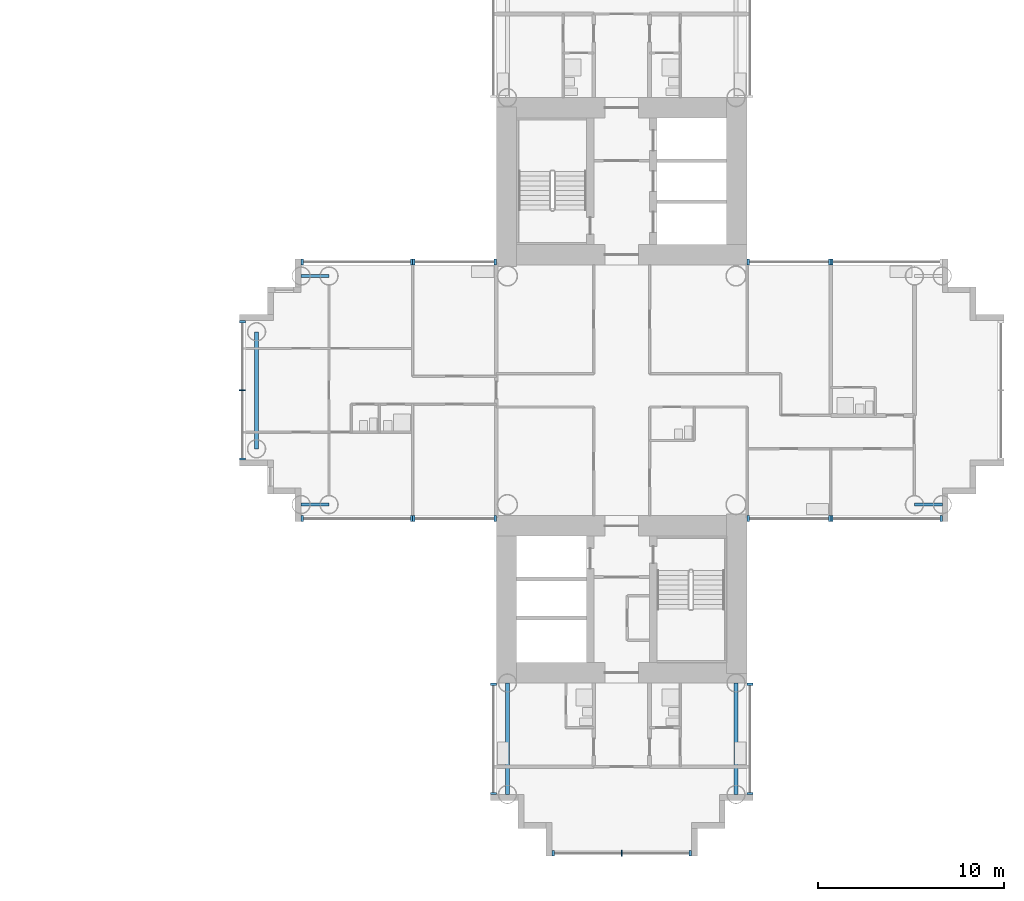
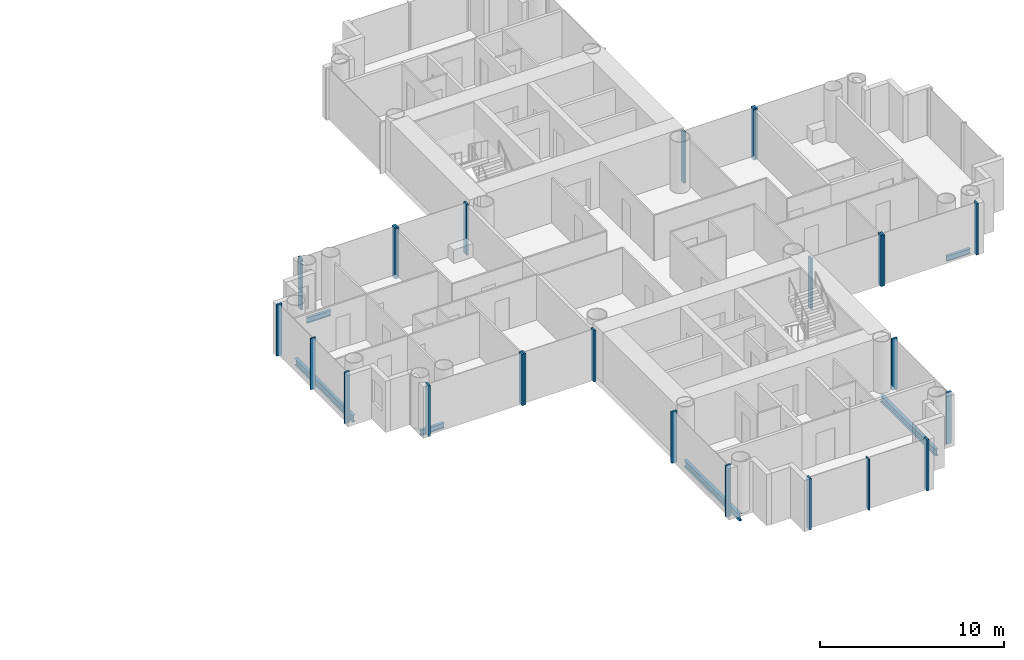
# One storey, part 5 of 21: 25 members, 6 beams, 12 elements without a shape of their own.
"""IFC4 building model written with IfcOpenShell, lengths in metres."""

from ifc_helpers import new_model, si_unit, direction, frame, origin, origin_2d, place, context, subcontext, project, spatial, rectangle, i_section, extrude, material, layer, layer_set, material_profile, profile_set, type_object, element, aggregate, save


model = new_model("IFC4")

# Units and contexts
model_context = context("Model", 3, precision=1e-05, world=origin(), true_north=direction((0.0, 1.0)))
body_context = subcontext(model_context, "Body", "Model", "MODEL_VIEW")
ifc_project = project(units=[si_unit("LENGTHUNIT", "METRE"), si_unit("AREAUNIT", "SQUARE_METRE"), si_unit("VOLUMEUNIT", "CUBIC_METRE"), si_unit("PLANEANGLEUNIT", "RADIAN"), si_unit("MASSUNIT", "GRAM", prefix="KILO")], contexts=[model_context])

# Site, building, storey
site_placement = place(None, origin())
site = spatial("IfcSite", under=ifc_project, at=site_placement, CompositionType="ELEMENT")
building_placement = place(site_placement, origin())
building = spatial("IfcBuilding", under=site, at=building_placement, Name="Ipe Terrace Towers", CompositionType="ELEMENT")
storey_placement = place(building_placement, frame((0.0, 0.0, 27.89990234375)))
storey = spatial("IfcBuildingStorey", under=building, at=storey_placement, Name="L06", CompositionType="ELEMENT", Elevation=27.89990234375)

# Beams
ifc_material_1 = material(Name="Steel S355", Category="steel")
ifc_material_profile_1 = material_profile(ifc_material_1, i_section(OverallWidth=0.175048828125, OverallDepth=0.35009765625, WebThickness=0.007080078125, FlangeThickness=0.010986328125, at=origin_2d()), Name="H-350x175x7x11")
ifc_profile_set_1 = profile_set([ifc_material_profile_1], Name="Steel S355")
beam_type_1 = type_object("IfcBeamType", Name="H04 EDGE BEAM H-350x175x7x11", PredefinedType="BEAM", material=ifc_profile_set_1)
for number, where, z_axis, x_axis, name in (
    (1, (20.25, 6.14990234375, -0.574951171875), (-1.0, 0.0, 0.0), (0.0, -1.0, 0.0), "Edge beam T2-EB-B03-B05"),
    (2, (20.25, -6.14990234375, -0.574951171875), (-1.0, 0.0, 0.0), (0.0, -1.0, 0.0), "Edge beam T2-EB-B04-B06"),
    (3, (51.75, -6.14990234375, -0.574951171875), (1.0, 0.0, 0.0), (0.0, 1.0, 0.0), "Edge beam T2-EB-D03-D05"),
):
    element("IfcBeam", number, at=place(storey_placement, frame(where, z_axis=z_axis, x_axis=x_axis)), inside=storey, type_object=beam_type_1, Name=name, PredefinedType="BEAM", context=body_context, shape_type="SweptSolid", body=[
        extrude(i_section(OverallWidth=0.175048828125, OverallDepth=0.35009765625, WebThickness=0.007080078125, FlangeThickness=0.010986328125, at=origin_2d()), origin(), (0.0, 0.0, 1.0), 1.5),
    ])
ifc_material_2 = material(Name="Steel S355", Category="steel")
ifc_material_profile_2 = material_profile(ifc_material_2, i_section(OverallWidth=0.199951171875, OverallDepth=0.449951171875, WebThickness=0.009033203125, FlangeThickness=0.013916015625, at=origin_2d()), Name="H-450x200x9x14")
ifc_profile_set_2 = profile_set([ifc_material_profile_2], Name="Steel S355")
beam_type_2 = type_object("IfcBeamType", Name="H08 EDGE BEAM H-450x200x9x14", PredefinedType="BEAM", material=ifc_profile_set_2)
beam_placement = place(storey_placement, frame((16.35009765625, 3.14990234375, -0.625), z_axis=(0.0, -1.0, 0.0), x_axis=(1.0, 0.0, 0.0)))
element("IfcBeam", 4, at=beam_placement, inside=storey, type_object=beam_type_2, Name="Edge beam T2-EB-B07-B08", PredefinedType="BEAM", context=body_context, shape_type="SweptSolid", body=[
    extrude(i_section(OverallWidth=0.199951171875, OverallDepth=0.449951171875, WebThickness=0.009033203125, FlangeThickness=0.013916015625, at=origin_2d()), origin(), (0.0, 0.0, 1.0), 6.2998046875),
])
for number, where, z_axis, x_axis, name in (
    (5, (42.14990234375, -15.75, -0.625), (0.0, -1.0, 0.0), (1.0, 0.0, 0.0), "Edge beam T2-EB-C01-C03"),
    (6, (29.85009765625, -15.75, -0.625), (0.0, -1.0, 0.0), (1.0, 0.0, 0.0), "Edge beam T2-EB-C02-C04"),
):
    element("IfcBeam", number, at=place(storey_placement, frame(where, z_axis=z_axis, x_axis=x_axis)), inside=storey, type_object=beam_type_2, Name=name, PredefinedType="BEAM", context=body_context, shape_type="SweptSolid", body=[
        extrude(i_section(OverallWidth=0.199951171875, OverallDepth=0.449951171875, WebThickness=0.009033203125, FlangeThickness=0.013916015625, at=origin_2d()), origin(), (0.0, 0.0, 1.0), 6.0),
    ])

# Curtain wall, members
ifc_material_3 = material(Name="Aluminium alloy 6063-T6", Category="aluminium")
ifc_layer = layer(ifc_material_3, 0.320068359375)
ifc_layer_set = layer_set([ifc_layer], Name="TOWER UNITISED CURTAIN WALL")
curtain_wall_type = type_object("IfcCurtainWallType", Name="TOWER UNITISED CURTAIN WALL", PredefinedType="NOTDEFINED", material=ifc_layer_set)
curtain_wall_1_placement = place(storey_placement, origin())
curtain_wall_1 = element("IfcCurtainWall", 7, at=curtain_wall_1_placement, inside=storey, type_object=curtain_wall_type, Name="T2-CW-L06-04a curtain wall", PredefinedType="NOTDEFINED")
ifc_material_4 = material(Name="Aluminium alloy 6063-T6", Category="aluminium")
ifc_material_profile_3 = material_profile(ifc_material_4, rectangle(XDim=0.320068359375, YDim=0.1201171875, at=origin_2d()), Name="TOWER UNITISED CORNER MULLION 320 x 120")
ifc_profile_set_3 = profile_set([ifc_material_profile_3], Name="Aluminium alloy 6063-T6")
member_type_1 = type_object("IfcMemberType", Name="TOWER UNITISED CORNER MULLION 320 x 120", PredefinedType="MULLION", material=ifc_profile_set_3)
member_1_placement = place(storey_placement, frame((42.909912109375, -21.68994140625, -0.2998046875), z_axis=(0.0, 0.0, 1.0), x_axis=(1.0, 0.0, 0.0)))
member_1 = element("IfcMember", 8, at=member_1_placement, type_object=member_type_1, Name="T2-CW-L06-04a mullion 1", PredefinedType="MULLION", context=body_context, shape_type="SweptSolid", body=[
    extrude(rectangle(XDim=0.320068359375, YDim=0.1201171875, at=origin_2d()), origin(), (0.0, 0.0, 1.0), 3.39990234375),
])
member_2_placement = place(storey_placement, frame((42.909912109375, -15.81103515625, -0.2998046875), z_axis=(0.0, 0.0, 1.0), x_axis=(1.0, 0.0, 0.0)))
member_2 = element("IfcMember", 9, at=member_2_placement, type_object=member_type_1, Name="T2-CW-L06-04a mullion 2", PredefinedType="MULLION", context=body_context, shape_type="SweptSolid", body=[
    extrude(rectangle(XDim=0.320068359375, YDim=0.1201171875, at=origin_2d()), origin(), (0.0, 0.0, 1.0), 3.39990234375),
])
aggregate(curtain_wall_1, [member_1, member_2])

curtain_wall_2_placement = place(storey_placement, origin())
curtain_wall_2 = element("IfcCurtainWall", 10, at=curtain_wall_2_placement, inside=storey, type_object=curtain_wall_type, Name="T2-CW-L06-06a curtain wall", PredefinedType="NOTDEFINED")
member_3_placement = place(storey_placement, frame((42.81005859375, -6.909912109375, -0.2998046875), z_axis=(0.0, 0.0, 1.0), x_axis=(0.0, -1.0, 0.0)))
member_3 = element("IfcMember", 11, at=member_3_placement, type_object=member_type_1, Name="T2-CW-L06-06a mullion 1", PredefinedType="MULLION", context=body_context, shape_type="SweptSolid", body=[
    extrude(rectangle(XDim=0.320068359375, YDim=0.1201171875, at=origin_2d()), origin(), (0.0, 0.0, 1.0), 3.39990234375),
])
member_4_placement = place(storey_placement, frame((47.18994140625, -6.909912109375, -0.2998046875), z_axis=(0.0, 0.0, 1.0), x_axis=(0.0, -1.0, 0.0)))
member_4 = element("IfcMember", 12, at=member_4_placement, type_object=member_type_1, Name="T2-CW-L06-06a mullion 2", PredefinedType="MULLION", context=body_context, shape_type="SweptSolid", body=[
    extrude(rectangle(XDim=0.320068359375, YDim=0.1201171875, at=origin_2d()), origin(), (0.0, 0.0, 1.0), 3.39990234375),
])
aggregate(curtain_wall_2, [member_3, member_4])

curtain_wall_3_placement = place(storey_placement, origin())
curtain_wall_3 = element("IfcCurtainWall", 13, at=curtain_wall_3_placement, inside=storey, type_object=curtain_wall_type, Name="T2-CW-L06-07a curtain wall", PredefinedType="NOTDEFINED")
member_5_placement = place(storey_placement, frame((47.31005859375, -6.909912109375, -0.2998046875), z_axis=(0.0, 0.0, 1.0), x_axis=(0.0, -1.0, 0.0)))
member_5 = element("IfcMember", 14, at=member_5_placement, type_object=member_type_1, Name="T2-CW-L06-07a mullion 1", PredefinedType="MULLION", context=body_context, shape_type="SweptSolid", body=[
    extrude(rectangle(XDim=0.320068359375, YDim=0.1201171875, at=origin_2d()), origin(), (0.0, 0.0, 1.0), 3.39990234375),
])
member_6_placement = place(storey_placement, frame((53.18994140625, -6.909912109375, -0.2998046875), z_axis=(0.0, 0.0, 1.0), x_axis=(0.0, -1.0, 0.0)))
member_6 = element("IfcMember", 15, at=member_6_placement, type_object=member_type_1, Name="T2-CW-L06-07a mullion 2", PredefinedType="MULLION", context=body_context, shape_type="SweptSolid", body=[
    extrude(rectangle(XDim=0.320068359375, YDim=0.1201171875, at=origin_2d()), origin(), (0.0, 0.0, 1.0), 3.39990234375),
])
aggregate(curtain_wall_3, [member_5, member_6])

# Curtain wall, member
curtain_wall_4_placement = place(storey_placement, origin())
curtain_wall_4 = element("IfcCurtainWall", 16, at=curtain_wall_4_placement, inside=storey, type_object=curtain_wall_type, Name="T2-CW-L06-17a curtain wall", PredefinedType="NOTDEFINED")
member_7_placement = place(storey_placement, frame((47.31005859375, 6.909912109375, -0.2998046875), z_axis=(0.0, 0.0, 1.0), x_axis=(0.0, 1.0, 0.0)))
member_7 = element("IfcMember", 17, at=member_7_placement, type_object=member_type_1, Name="T2-CW-L06-17a mullion 2", PredefinedType="MULLION", context=body_context, shape_type="SweptSolid", body=[
    extrude(rectangle(XDim=0.320068359375, YDim=0.1201171875, at=origin_2d()), origin(), (0.0, 0.0, 1.0), 3.39990234375),
])
aggregate(curtain_wall_4, [member_7])

# Curtain wall, members
curtain_wall_5_placement = place(storey_placement, origin())
curtain_wall_5 = element("IfcCurtainWall", 18, at=curtain_wall_5_placement, inside=storey, type_object=curtain_wall_type, Name="T2-CW-L06-18a curtain wall", PredefinedType="NOTDEFINED")
member_8_placement = place(storey_placement, frame((47.18994140625, 6.909912109375, -0.2998046875), z_axis=(0.0, 0.0, 1.0), x_axis=(0.0, 1.0, 0.0)))
member_8 = element("IfcMember", 19, at=member_8_placement, type_object=member_type_1, Name="T2-CW-L06-18a mullion 1", PredefinedType="MULLION", context=body_context, shape_type="SweptSolid", body=[
    extrude(rectangle(XDim=0.320068359375, YDim=0.1201171875, at=origin_2d()), origin(), (0.0, 0.0, 1.0), 3.39990234375),
])
member_9_placement = place(storey_placement, frame((42.81005859375, 6.909912109375, -0.2998046875), z_axis=(0.0, 0.0, 1.0), x_axis=(0.0, 1.0, 0.0)))
member_9 = element("IfcMember", 20, at=member_9_placement, type_object=member_type_1, Name="T2-CW-L06-18a mullion 2", PredefinedType="MULLION", context=body_context, shape_type="SweptSolid", body=[
    extrude(rectangle(XDim=0.320068359375, YDim=0.1201171875, at=origin_2d()), origin(), (0.0, 0.0, 1.0), 3.39990234375),
])
aggregate(curtain_wall_5, [member_8, member_9])

curtain_wall_6_placement = place(storey_placement, origin())
curtain_wall_6 = element("IfcCurtainWall", 21, at=curtain_wall_6_placement, inside=storey, type_object=curtain_wall_type, Name="T2-CW-L06-32a curtain wall", PredefinedType="NOTDEFINED")
member_10_placement = place(storey_placement, frame((29.18994140625, 6.909912109375, -0.2998046875), z_axis=(0.0, 0.0, 1.0), x_axis=(0.0, 1.0, 0.0)))
member_10 = element("IfcMember", 22, at=member_10_placement, type_object=member_type_1, Name="T2-CW-L06-32a mullion 1", PredefinedType="MULLION", context=body_context, shape_type="SweptSolid", body=[
    extrude(rectangle(XDim=0.320068359375, YDim=0.1201171875, at=origin_2d()), origin(), (0.0, 0.0, 1.0), 3.39990234375),
])
member_11_placement = place(storey_placement, frame((24.81005859375, 6.909912109375, -0.2998046875), z_axis=(0.0, 0.0, 1.0), x_axis=(0.0, 1.0, 0.0)))
member_11 = element("IfcMember", 23, at=member_11_placement, type_object=member_type_1, Name="T2-CW-L06-32a mullion 2", PredefinedType="MULLION", context=body_context, shape_type="SweptSolid", body=[
    extrude(rectangle(XDim=0.320068359375, YDim=0.1201171875, at=origin_2d()), origin(), (0.0, 0.0, 1.0), 3.39990234375),
])
aggregate(curtain_wall_6, [member_10, member_11])

curtain_wall_7_placement = place(storey_placement, origin())
curtain_wall_7 = element("IfcCurtainWall", 24, at=curtain_wall_7_placement, inside=storey, type_object=curtain_wall_type, Name="T2-CW-L06-33a curtain wall", PredefinedType="NOTDEFINED")
member_12_placement = place(storey_placement, frame((24.68994140625, 6.909912109375, -0.2998046875), z_axis=(0.0, 0.0, 1.0), x_axis=(0.0, 1.0, 0.0)))
member_12 = element("IfcMember", 25, at=member_12_placement, type_object=member_type_1, Name="T2-CW-L06-33a mullion 1", PredefinedType="MULLION", context=body_context, shape_type="SweptSolid", body=[
    extrude(rectangle(XDim=0.320068359375, YDim=0.1201171875, at=origin_2d()), origin(), (0.0, 0.0, 1.0), 3.39990234375),
])
member_13_placement = place(storey_placement, frame((18.81005859375, 6.909912109375, -0.2998046875), z_axis=(0.0, 0.0, 1.0), x_axis=(0.0, 1.0, 0.0)))
member_13 = element("IfcMember", 26, at=member_13_placement, type_object=member_type_1, Name="T2-CW-L06-33a mullion 2", PredefinedType="MULLION", context=body_context, shape_type="SweptSolid", body=[
    extrude(rectangle(XDim=0.320068359375, YDim=0.1201171875, at=origin_2d()), origin(), (0.0, 0.0, 1.0), 3.39990234375),
])
aggregate(curtain_wall_7, [member_12, member_13])

curtain_wall_8_placement = place(storey_placement, origin())
curtain_wall_8 = element("IfcCurtainWall", 27, at=curtain_wall_8_placement, inside=storey, type_object=curtain_wall_type, Name="T2-CW-L06-38a curtain wall", PredefinedType="NOTDEFINED")
member_14_placement = place(storey_placement, frame((15.590087890625, 3.68994140625, -0.2998046875), z_axis=(0.0, 0.0, 1.0), x_axis=(-1.0, 0.0, 0.0)))
member_14 = element("IfcMember", 28, at=member_14_placement, type_object=member_type_1, Name="T2-CW-L06-38a mullion 1", PredefinedType="MULLION", context=body_context, shape_type="SweptSolid", body=[
    extrude(rectangle(XDim=0.320068359375, YDim=0.1201171875, at=origin_2d()), origin(), (0.0, 0.0, 1.0), 3.39990234375),
])
member_15_placement = place(storey_placement, frame((15.590087890625, -3.68994140625, -0.2998046875), z_axis=(0.0, 0.0, 1.0), x_axis=(-1.0, 0.0, 0.0)))
member_15 = element("IfcMember", 29, at=member_15_placement, type_object=member_type_1, Name="T2-CW-L06-38a mullion 3", PredefinedType="MULLION", context=body_context, shape_type="SweptSolid", body=[
    extrude(rectangle(XDim=0.320068359375, YDim=0.1201171875, at=origin_2d()), origin(), (0.0, 0.0, 1.0), 3.39990234375),
])

curtain_wall_9_placement = place(storey_placement, origin())
curtain_wall_9 = element("IfcCurtainWall", 30, at=curtain_wall_9_placement, inside=storey, type_object=curtain_wall_type, Name="T2-CW-L06-43a curtain wall", PredefinedType="NOTDEFINED")
member_16_placement = place(storey_placement, frame((18.81005859375, -6.909912109375, -0.2998046875), z_axis=(0.0, 0.0, 1.0), x_axis=(0.0, -1.0, 0.0)))
member_16 = element("IfcMember", 31, at=member_16_placement, type_object=member_type_1, Name="T2-CW-L06-43a mullion 1", PredefinedType="MULLION", context=body_context, shape_type="SweptSolid", body=[
    extrude(rectangle(XDim=0.320068359375, YDim=0.1201171875, at=origin_2d()), origin(), (0.0, 0.0, 1.0), 3.39990234375),
])
member_17_placement = place(storey_placement, frame((24.68994140625, -6.909912109375, -0.2998046875), z_axis=(0.0, 0.0, 1.0), x_axis=(0.0, -1.0, 0.0)))
member_17 = element("IfcMember", 32, at=member_17_placement, type_object=member_type_1, Name="T2-CW-L06-43a mullion 2", PredefinedType="MULLION", context=body_context, shape_type="SweptSolid", body=[
    extrude(rectangle(XDim=0.320068359375, YDim=0.1201171875, at=origin_2d()), origin(), (0.0, 0.0, 1.0), 3.39990234375),
])
aggregate(curtain_wall_9, [member_16, member_17])

curtain_wall_10_placement = place(storey_placement, origin())
curtain_wall_10 = element("IfcCurtainWall", 33, at=curtain_wall_10_placement, inside=storey, type_object=curtain_wall_type, Name="T2-CW-L06-44a curtain wall", PredefinedType="NOTDEFINED")
member_18_placement = place(storey_placement, frame((24.81005859375, -6.909912109375, -0.2998046875), z_axis=(0.0, 0.0, 1.0), x_axis=(0.0, -1.0, 0.0)))
member_18 = element("IfcMember", 34, at=member_18_placement, type_object=member_type_1, Name="T2-CW-L06-44a mullion 1", PredefinedType="MULLION", context=body_context, shape_type="SweptSolid", body=[
    extrude(rectangle(XDim=0.320068359375, YDim=0.1201171875, at=origin_2d()), origin(), (0.0, 0.0, 1.0), 3.39990234375),
])
member_19_placement = place(storey_placement, frame((29.18994140625, -6.909912109375, -0.2998046875), z_axis=(0.0, 0.0, 1.0), x_axis=(0.0, -1.0, 0.0)))
member_19 = element("IfcMember", 35, at=member_19_placement, type_object=member_type_1, Name="T2-CW-L06-44a mullion 2", PredefinedType="MULLION", context=body_context, shape_type="SweptSolid", body=[
    extrude(rectangle(XDim=0.320068359375, YDim=0.1201171875, at=origin_2d()), origin(), (0.0, 0.0, 1.0), 3.39990234375),
])
aggregate(curtain_wall_10, [member_18, member_19])

curtain_wall_11_placement = place(storey_placement, origin())
curtain_wall_11 = element("IfcCurtainWall", 36, at=curtain_wall_11_placement, inside=storey, type_object=curtain_wall_type, Name="T2-CW-L06-46b curtain wall", PredefinedType="NOTDEFINED")
member_20_placement = place(storey_placement, frame((29.090087890625, -15.81103515625, -0.2998046875), z_axis=(0.0, 0.0, 1.0), x_axis=(-1.0, 0.0, 0.0)))
member_20 = element("IfcMember", 37, at=member_20_placement, type_object=member_type_1, Name="T2-CW-L06-46b mullion 1", PredefinedType="MULLION", context=body_context, shape_type="SweptSolid", body=[
    extrude(rectangle(XDim=0.320068359375, YDim=0.1201171875, at=origin_2d()), origin(), (0.0, 0.0, 1.0), 3.39990234375),
])
member_21_placement = place(storey_placement, frame((29.090087890625, -21.68994140625, -0.2998046875), z_axis=(0.0, 0.0, 1.0), x_axis=(-1.0, 0.0, 0.0)))
member_21 = element("IfcMember", 38, at=member_21_placement, type_object=member_type_1, Name="T2-CW-L06-46b mullion 2", PredefinedType="MULLION", context=body_context, shape_type="SweptSolid", body=[
    extrude(rectangle(XDim=0.320068359375, YDim=0.1201171875, at=origin_2d()), origin(), (0.0, 0.0, 1.0), 3.39990234375),
])
aggregate(curtain_wall_11, [member_20, member_21])

curtain_wall_12_placement = place(storey_placement, origin())
curtain_wall_12 = element("IfcCurtainWall", 39, at=curtain_wall_12_placement, inside=storey, type_object=curtain_wall_type, Name="T2-CW-L06-51a curtain wall", PredefinedType="NOTDEFINED")
member_22_placement = place(storey_placement, frame((32.31005859375, -24.909912109375, -0.2998046875), z_axis=(0.0, 0.0, 1.0), x_axis=(0.0, -1.0, 0.0)))
member_22 = element("IfcMember", 40, at=member_22_placement, type_object=member_type_1, Name="T2-CW-L06-51a mullion 1", PredefinedType="MULLION", context=body_context, shape_type="SweptSolid", body=[
    extrude(rectangle(XDim=0.320068359375, YDim=0.1201171875, at=origin_2d()), origin(), (0.0, 0.0, 1.0), 3.39990234375),
])
member_23_placement = place(storey_placement, frame((39.68994140625, -24.909912109375, -0.2998046875), z_axis=(0.0, 0.0, 1.0), x_axis=(0.0, -1.0, 0.0)))
member_23 = element("IfcMember", 41, at=member_23_placement, type_object=member_type_1, Name="T2-CW-L06-51a mullion 3", PredefinedType="MULLION", context=body_context, shape_type="SweptSolid", body=[
    extrude(rectangle(XDim=0.320068359375, YDim=0.1201171875, at=origin_2d()), origin(), (0.0, 0.0, 1.0), 3.39990234375),
])

# Member
ifc_material_5 = material(Name="Aluminium alloy 6063-T6", Category="aluminium")
ifc_material_profile_4 = material_profile(ifc_material_5, rectangle(XDim=0.320068359375, YDim=0.06494140625, at=origin_2d()), Name="TOWER UNITISED MULLION 320 x 65")
ifc_profile_set_4 = profile_set([ifc_material_profile_4], Name="Aluminium alloy 6063-T6")
member_type_2 = type_object("IfcMemberType", Name="TOWER UNITISED MULLION 320 x 65", PredefinedType="MULLION", material=ifc_profile_set_4)
member_24_placement = place(storey_placement, frame((15.590087890625, 0.0, -0.2998046875), z_axis=(0.0, 0.0, 1.0), x_axis=(-1.0, 0.0, 0.0)))
member_24 = element("IfcMember", 42, at=member_24_placement, type_object=member_type_2, Name="T2-CW-L06-38a mullion 2", PredefinedType="MULLION", context=body_context, shape_type="SweptSolid", body=[
    extrude(rectangle(XDim=0.320068359375, YDim=0.06494140625, at=origin_2d()), origin(), (0.0, 0.0, 1.0), 3.39990234375),
])

aggregate(curtain_wall_8, [member_14, member_24, member_15])

member_25_placement = place(storey_placement, frame((36.0, -24.909912109375, -0.2998046875), z_axis=(0.0, 0.0, 1.0), x_axis=(0.0, -1.0, 0.0)))
member_25 = element("IfcMember", 43, at=member_25_placement, type_object=member_type_2, Name="T2-CW-L06-51a mullion 2", PredefinedType="MULLION", context=body_context, shape_type="SweptSolid", body=[
    extrude(rectangle(XDim=0.320068359375, YDim=0.06494140625, at=origin_2d()), origin(), (0.0, 0.0, 1.0), 3.39990234375),
])

aggregate(curtain_wall_12, [member_22, member_25, member_23])

save(model, "model.ifc")
